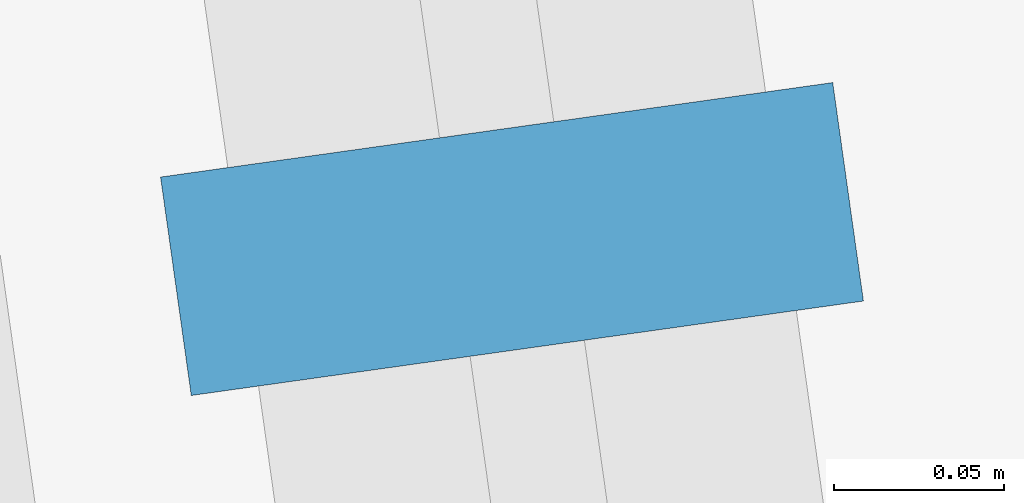
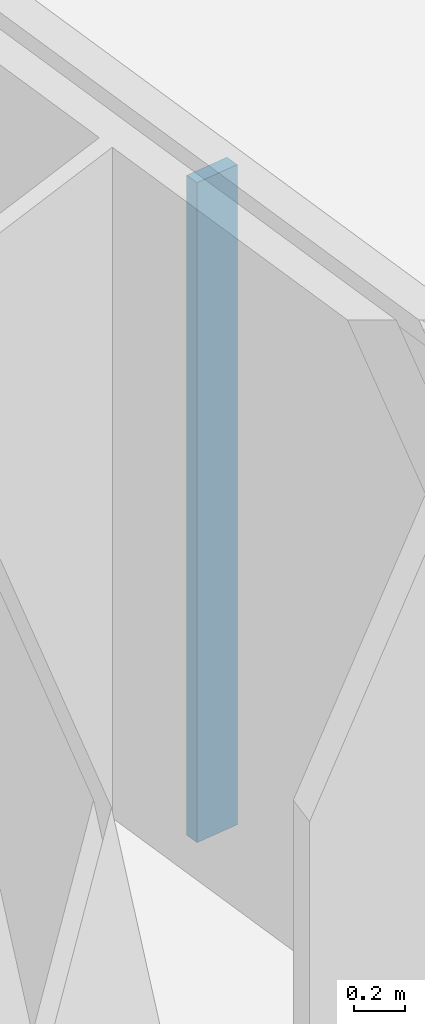
# One storey, part 21 of 49: 1 member, 1 element without a shape of its own.
"""IFC4 building model written with IfcOpenShell, lengths in metres."""

from ifc_helpers import new_model, si_unit, direction, frame, origin, origin_2d, place, context, subcontext, project, spatial, rectangle, extrude, material, material_profile, profile_set, type_object, element, aggregate, save


model = new_model("IFC4")

# Units and contexts
model_context = context("Model", 3, precision=1e-05, world=origin(), true_north=direction((0.0, 1.0)))
body_context = subcontext(model_context, "Body", "Model", "MODEL_VIEW")
ifc_project = project(units=[si_unit("LENGTHUNIT", "METRE"), si_unit("AREAUNIT", "SQUARE_METRE"), si_unit("VOLUMEUNIT", "CUBIC_METRE"), si_unit("PLANEANGLEUNIT", "RADIAN"), si_unit("MASSUNIT", "GRAM", prefix="KILO")], contexts=[model_context])

# Site, building, storey
site_placement = place(None, origin())
site = spatial("IfcSite", under=ifc_project, at=site_placement, CompositionType="ELEMENT")
building_placement = place(site_placement, origin())
building = spatial("IfcBuilding", under=site, at=building_placement, Name="Mirante Cascada Hotel Towers", CompositionType="ELEMENT")
storey_placement = place(building_placement, frame((0.0, 0.0, 66.1)))
storey = spatial("IfcBuildingStorey", under=building, at=storey_placement, Name="L13", CompositionType="ELEMENT", Elevation=66.1)

# Curtain wall, member
ifc_material_1 = material(Name="Aluminium mullion and transom frame with clear laminated glass", Category="aluminium")
curtain_wall_type = type_object("IfcCurtainWallType", Name="End ribbon curtain wall ECW2", PredefinedType="NOTDEFINED", material=ifc_material_1)
curtain_wall_placement = place(storey_placement, origin())
curtain_wall = element("IfcCurtainWall", 1, at=curtain_wall_placement, inside=storey, type_object=curtain_wall_type, Name="Inner end wall T2 L13", PredefinedType="NOTDEFINED")
ifc_material_2 = material(Name="Anodised aluminium extrusion", Category="aluminium")
ifc_material_profile = material_profile(ifc_material_2, rectangle(XDim=0.2, YDim=0.065, at=origin_2d()), Name="ECW2 MULLION 65x200")
ifc_profile_set = profile_set([ifc_material_profile], Name="Anodised aluminium extrusion")
member_type = type_object("IfcMemberType", Name="ECW2 mullion 65x200", PredefinedType="MULLION", material=ifc_profile_set)
member_placement = place(storey_placement, frame((31.4881, -11.5107, 0.1), z_axis=(0.0, 0.0, 1.0), x_axis=(0.9902681, 0.1391731, 0.0)))
member = element("IfcMember", 2, at=member_placement, type_object=member_type, Name="ECW2 mullion 6", PredefinedType="MULLION", context=body_context, shape_type="SweptSolid", body=[
    extrude(rectangle(XDim=0.2, YDim=0.065, at=origin_2d()), origin(), (0.0, 0.0, 1.0), 3.15),
])
aggregate(curtain_wall, [member])

save(model, "model.ifc")
